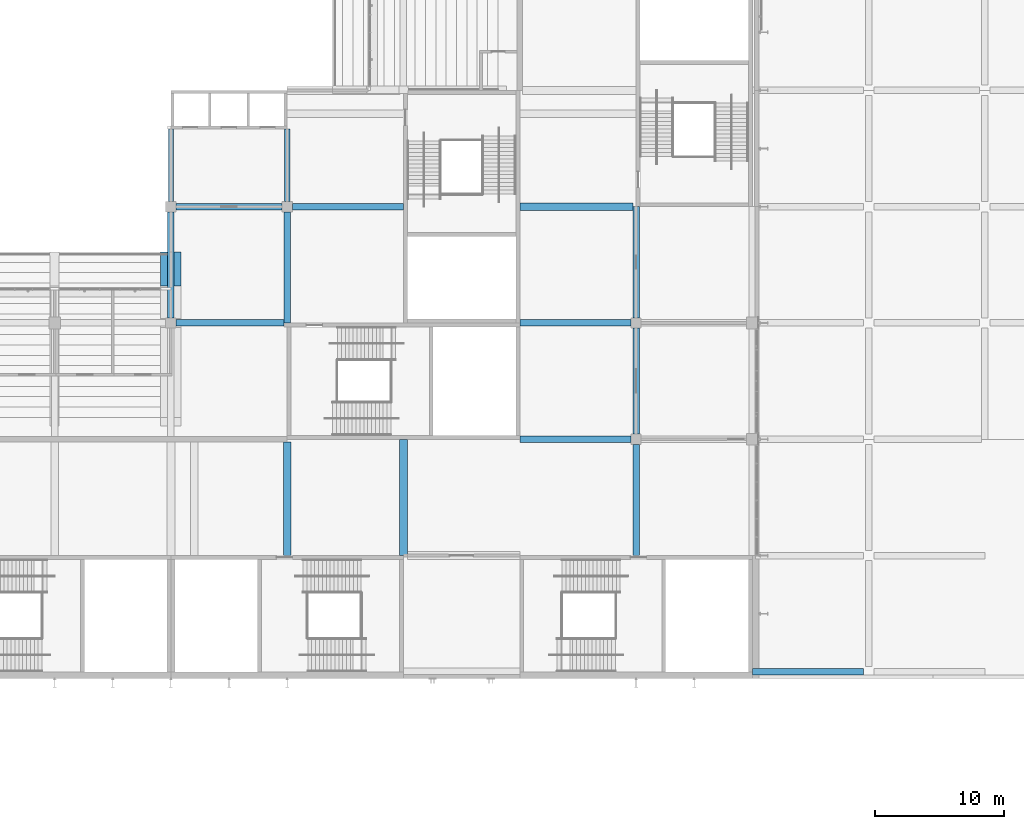
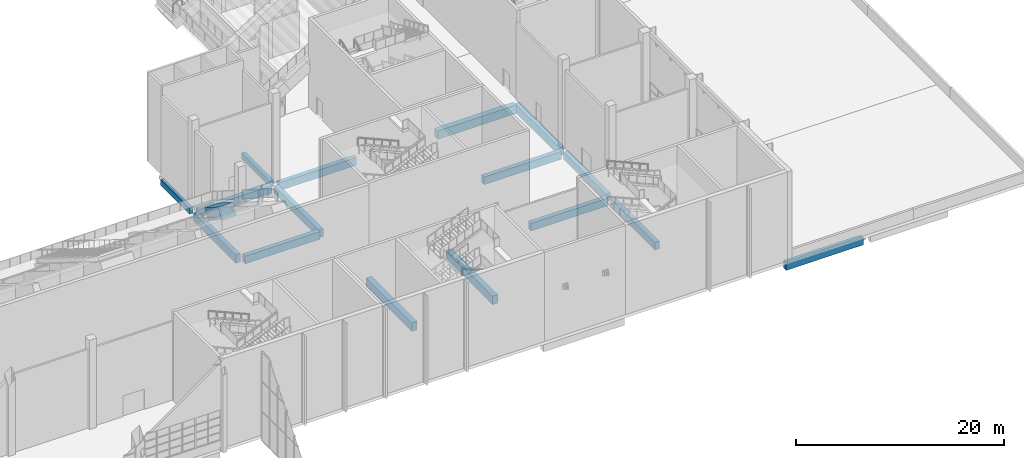
# One storey, part 43 of 182: 17 beams.
"""IFC4 building model written with IfcOpenShell, lengths in metres."""

from ifc_helpers import new_model, si_unit, direction, frame, origin, origin_2d, place, context, subcontext, project, spatial, rectangle, extrude, material, material_profile, profile_set, type_object, element, save


model = new_model("IFC4")

# Units and contexts
model_context = context("Model", 3, precision=1e-05, world=origin(), true_north=direction((0.0, 1.0)))
body_context = subcontext(model_context, "Body", "Model", "MODEL_VIEW")
ifc_project = project(units=[si_unit("LENGTHUNIT", "METRE"), si_unit("AREAUNIT", "SQUARE_METRE"), si_unit("VOLUMEUNIT", "CUBIC_METRE"), si_unit("PLANEANGLEUNIT", "RADIAN"), si_unit("MASSUNIT", "GRAM", prefix="KILO")], contexts=[model_context])

# Site, building, storey
site_placement = place(None, origin())
site = spatial("IfcSite", under=ifc_project, at=site_placement, CompositionType="ELEMENT")
building_placement = place(site_placement, origin())
building = spatial("IfcBuilding", under=site, at=building_placement, Name="Silverbay Arena", CompositionType="ELEMENT")
storey_placement = place(building_placement, frame((0.0, 0.0, 11.5)))
storey = spatial("IfcBuildingStorey", under=building, at=storey_placement, Name="L02", CompositionType="ELEMENT", Elevation=11.5)

# Beams
ifc_material_1 = material(Name="Concrete Grade C45", Category="concrete")
ifc_material_profile_1 = material_profile(ifc_material_1, rectangle(XDim=0.39990234375, YDim=0.699951171875, at=origin_2d()), Name="RC 400x700")
ifc_profile_set_1 = profile_set([ifc_material_profile_1], Name="Concrete Grade C45")
beam_type_1 = type_object("IfcBeamType", Name="RC beam 400x700", PredefinedType="BEAM", material=ifc_profile_set_1)
for number, where, z_axis, x_axis, name in (
    (1, (162.0, 54.39990234375, -0.699951171875), (0.0, 1.0, 0.0), (-1.0, 0.0, 0.0), "Floor beam L02 296"),
    (2, (171.0, 54.39990234375, -0.699951171875), (0.0, 1.0, 0.0), (-1.0, 0.0, 0.0), "Floor beam L02 305"),
):
    element("IfcBeam", number, at=place(storey_placement, frame(where, z_axis=z_axis, x_axis=x_axis)), inside=storey, type_object=beam_type_1, Name=name, PredefinedType="BEAM", context=body_context, shape_type="SweptSolid", body=[
        extrude(rectangle(XDim=0.39990234375, YDim=0.699951171875, at=origin_2d()), origin(), (0.0, 0.0, 1.0), 5.60009765625),
    ])
ifc_material_2 = material(Name="Concrete Grade C45", Category="concrete")
ifc_material_profile_2 = material_profile(ifc_material_2, rectangle(XDim=0.5, YDim=1.0, at=origin_2d()), Name="RC 500x1000")
ifc_profile_set_2 = profile_set([ifc_material_profile_2], Name="Concrete Grade C45")
beam_type_2 = type_object("IfcBeamType", Name="RC beam 500x1000", PredefinedType="BEAM", material=ifc_profile_set_2)
beam_1_placement = place(storey_placement, frame((162.0, 45.39990234375, -0.85009765625), z_axis=(0.0, 1.0, 0.0), x_axis=(-1.0, 0.0, 0.0)))
element("IfcBeam", 3, at=beam_1_placement, inside=storey, type_object=beam_type_2, Name="Floor beam L02 295", PredefinedType="BEAM", context=body_context, shape_type="SweptSolid", body=[
    extrude(rectangle(XDim=0.5, YDim=1.0, at=origin_2d()), origin(), (0.0, 0.0, 1.0), 8.2001953125),
])
beam_2_placement = place(storey_placement, frame((198.0, 45.39990234375, -0.85009765625), z_axis=(0.0, 1.0, 0.0), x_axis=(-1.0, 0.0, 0.0)))
element("IfcBeam", 4, at=beam_2_placement, inside=storey, type_object=beam_type_2, Name="Floor beam L02 317", PredefinedType="BEAM", context=body_context, shape_type="SweptSolid", body=[
    extrude(rectangle(XDim=0.5, YDim=1.0, at=origin_2d()), origin(), (0.0, 0.0, 1.0), 8.60009765625),
])
ifc_material_3 = material(Name="Concrete Grade C45", Category="concrete")
ifc_material_profile_3 = material_profile(ifc_material_3, rectangle(XDim=0.5, YDim=0.89990234375, at=origin_2d()), Name="RC 500x900")
ifc_profile_set_3 = profile_set([ifc_material_profile_3], Name="Concrete Grade C45")
beam_type_3 = type_object("IfcBeamType", Name="RC beam 500x900", PredefinedType="BEAM", material=ifc_profile_set_3)
for number, where, z_axis, x_axis, name in (
    (5, (207.0, 18.0, -0.800048828125), (1.0, 0.0, 0.0), (0.0, 1.0, 0.0), "Floor beam L02 008"),
    (6, (189.0, 36.0, -0.800048828125), (1.0, 0.0, 0.0), (0.0, 1.0, 0.0), "Floor beam L02 023"),
):
    element("IfcBeam", number, at=place(storey_placement, frame(where, z_axis=z_axis, x_axis=x_axis)), inside=storey, type_object=beam_type_3, Name=name, PredefinedType="BEAM", context=body_context, shape_type="SweptSolid", body=[
        extrude(rectangle(XDim=0.5, YDim=0.89990234375, at=origin_2d()), origin(), (0.0, 0.0, 1.0), 8.60009765625),
    ])
beam_3_placement = place(storey_placement, frame((162.39990234375, 45.0, -0.800048828125), z_axis=(1.0, 0.0, 0.0), x_axis=(0.0, 1.0, 0.0)))
element("IfcBeam", 7, at=beam_3_placement, inside=storey, type_object=beam_type_3, Name="Floor beam L02 040", PredefinedType="BEAM", context=body_context, shape_type="SweptSolid", body=[
    extrude(rectangle(XDim=0.5, YDim=0.89990234375, at=origin_2d()), origin(), (0.0, 0.0, 1.0), 8.35009765625),
])
beam_4_placement = place(storey_placement, frame((189.0, 45.0, -0.800048828125), z_axis=(1.0, 0.0, 0.0), x_axis=(0.0, 1.0, 0.0)))
element("IfcBeam", 8, at=beam_4_placement, inside=storey, type_object=beam_type_3, Name="Floor beam L02 041", PredefinedType="BEAM", context=body_context, shape_type="SweptSolid", body=[
    extrude(rectangle(XDim=0.5, YDim=0.89990234375, at=origin_2d()), origin(), (0.0, 0.0, 1.0), 8.60009765625),
])
beam_5_placement = place(storey_placement, frame((162.39990234375, 54.0, -0.800048828125), z_axis=(1.0, 0.0, 0.0), x_axis=(0.0, 1.0, 0.0)))
element("IfcBeam", 9, at=beam_5_placement, inside=storey, type_object=beam_type_3, Name="Floor beam L02 052", PredefinedType="BEAM", context=body_context, shape_type="SweptSolid", body=[
    extrude(rectangle(XDim=0.5, YDim=0.89990234375, at=origin_2d()), origin(), (0.0, 0.0, 1.0), 8.2001953125),
])
for number, where, z_axis, x_axis, name in (
    (10, (171.39990234375, 54.0, -0.800048828125), (1.0, 0.0, 0.0), (0.0, 1.0, 0.0), "Floor beam L02 053"),
    (11, (171.0, 45.0, -0.800048828125), (0.0, 1.0, 0.0), (-1.0, 0.0, 0.0), "Floor beam L02 304"),
    (12, (198.0, 27.0, -0.800048828125), (0.0, 1.0, 0.0), (-1.0, 0.0, 0.0), "Floor beam L02 315"),
):
    element("IfcBeam", number, at=place(storey_placement, frame(where, z_axis=z_axis, x_axis=x_axis)), inside=storey, type_object=beam_type_3, Name=name, PredefinedType="BEAM", context=body_context, shape_type="SweptSolid", body=[
        extrude(rectangle(XDim=0.5, YDim=0.89990234375, at=origin_2d()), origin(), (0.0, 0.0, 1.0), 8.60009765625),
    ])
beam_6_placement = place(storey_placement, frame((198.0, 36.39990234375, -0.800048828125), z_axis=(0.0, 1.0, 0.0), x_axis=(-1.0, 0.0, 0.0)))
element("IfcBeam", 13, at=beam_6_placement, inside=storey, type_object=beam_type_3, Name="Floor beam L02 316", PredefinedType="BEAM", context=body_context, shape_type="SweptSolid", body=[
    extrude(rectangle(XDim=0.5, YDim=0.89990234375, at=origin_2d()), origin(), (0.0, 0.0, 1.0), 8.2001953125),
])
ifc_material_4 = material(Name="Concrete Grade C45", Category="concrete")
ifc_material_profile_4 = material_profile(ifc_material_4, rectangle(XDim=0.60009765625, YDim=1.0, at=origin_2d()), Name="RC 600x1000")
ifc_profile_set_4 = profile_set([ifc_material_profile_4], Name="Concrete Grade C45")
beam_type_4 = type_object("IfcBeamType", Name="RC beam 600x1000", PredefinedType="BEAM", material=ifc_profile_set_4)
beam_7_placement = place(storey_placement, frame((189.0, 54.0, -0.85009765625), z_axis=(1.0, 0.0, 0.0), x_axis=(0.0, 1.0, 0.0)))
element("IfcBeam", 14, at=beam_7_placement, inside=storey, type_object=beam_type_4, Name="Floor beam L02 054", PredefinedType="BEAM", context=body_context, shape_type="SweptSolid", body=[
    extrude(rectangle(XDim=0.60009765625, YDim=1.0, at=origin_2d()), origin(), (0.0, 0.0, 1.0), 8.75),
])
beam_8_placement = place(storey_placement, frame((171.0, 27.0, -0.85009765625), z_axis=(0.0, 1.0, 0.0), x_axis=(-1.0, 0.0, 0.0)))
element("IfcBeam", 15, at=beam_8_placement, inside=storey, type_object=beam_type_4, Name="Floor beam L02 303", PredefinedType="BEAM", context=body_context, shape_type="SweptSolid", body=[
    extrude(rectangle(XDim=0.60009765625, YDim=1.0, at=origin_2d()), origin(), (0.0, 0.0, 1.0), 8.800048828125),
])
beam_9_placement = place(storey_placement, frame((180.0, 27.0, -0.85009765625), z_axis=(0.0, 1.0, 0.0), x_axis=(-1.0, 0.0, 0.0)))
element("IfcBeam", 16, at=beam_9_placement, inside=storey, type_object=beam_type_4, Name="Floor beam L02 309", PredefinedType="BEAM", context=body_context, shape_type="SweptSolid", body=[
    extrude(rectangle(XDim=0.60009765625, YDim=1.0, at=origin_2d()), origin(), (0.0, 0.0, 1.0), 9.0),
])
ifc_material_5 = material(Name="Concrete Grade C45", Category="concrete")
ifc_material_profile_5 = material_profile(ifc_material_5, rectangle(XDim=1.60009765625, YDim=1.300048828125, at=origin_2d()), Name="RC 1600x1300")
ifc_profile_set_5 = profile_set([ifc_material_profile_5], Name="Concrete Grade C45")
beam_type_5 = type_object("IfcBeamType", Name="RC cantilever raker 1600x1300", PredefinedType="BEAM", material=ifc_profile_set_5)
beam_10_placement = place(storey_placement, frame((162.0, 50.155517578125, 1.768798828125), z_axis=(0.0, -0.848002683915, 0.529991932082), x_axis=(1.0, 0.0, 0.0)))
element("IfcBeam", 17, at=beam_10_placement, inside=storey, type_object=beam_type_5, Name="Raker South upper 162 tip", PredefinedType="BEAM", context=body_context, shape_type="SweptSolid", body=[
    extrude(rectangle(XDim=1.60009765625, YDim=1.300048828125, at=origin_2d()), origin(), (0.0, 0.0, 1.0), 3.131591796875),
])

save(model, "model.ifc")
